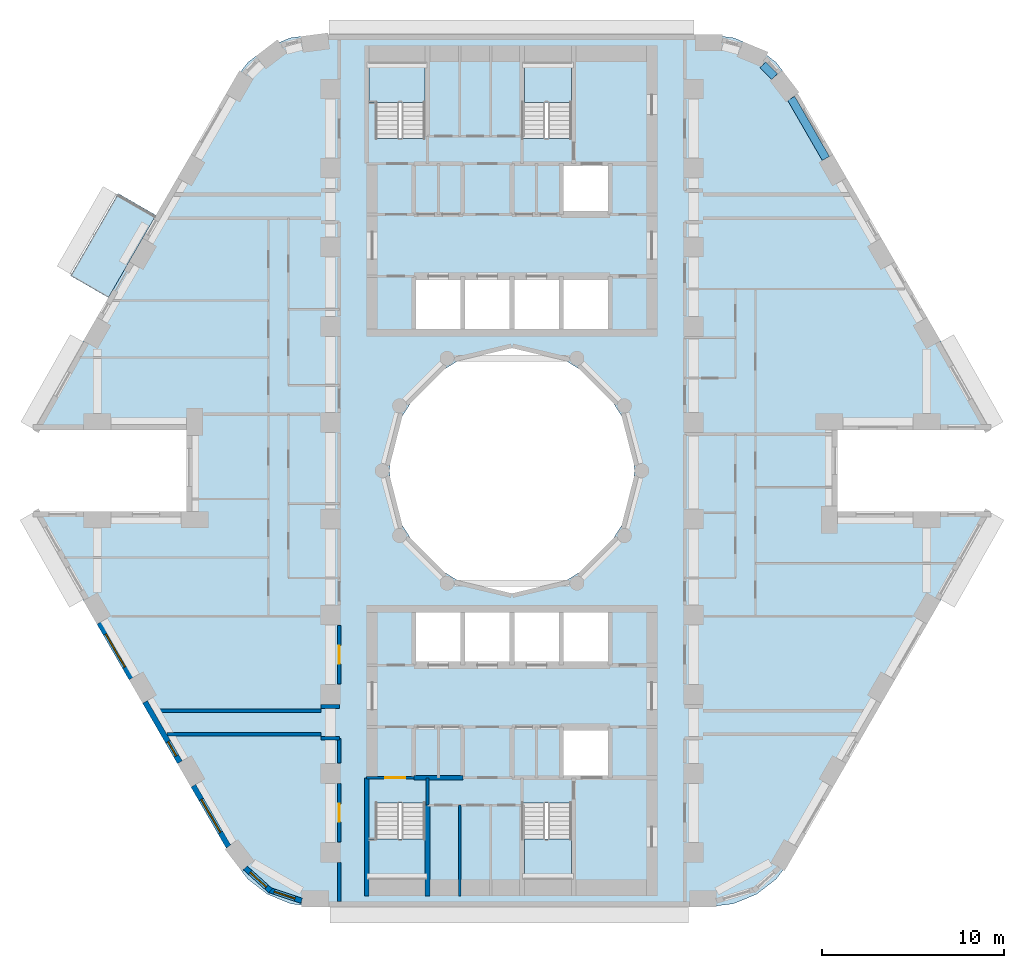
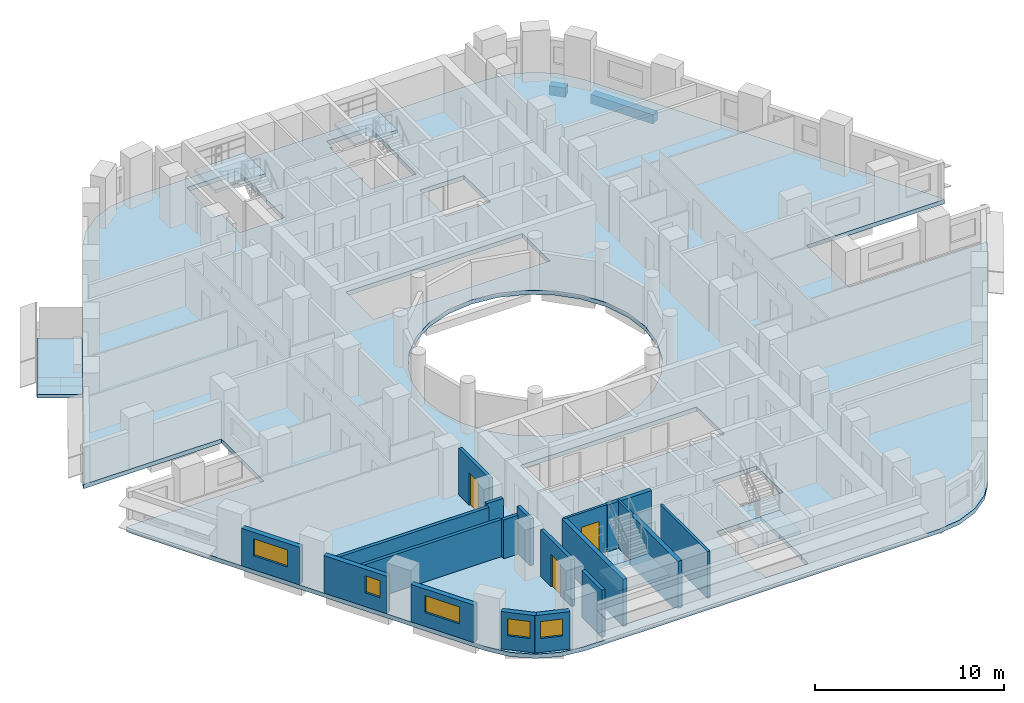
# One storey, part 2 of 13: 19 walls, 6 slabs, 5 windows, 3 doors, 2 beams, 8 openings, 4 elements without a shape of their own.
"""IFC4 building model written with IfcOpenShell, lengths in metres."""

from ifc_helpers import new_model, si_unit, direction, frame, frame_2d, origin, origin_2d, place, context, subcontext, project, spatial, polyline, rectangle, outline, extrude, material, layer, layer_set, material_profile, profile_set, type_object, element, fill, aggregate, save


model = new_model("IFC4")

# Units and contexts
model_context = context("Model", 3, precision=1e-05, world=origin(), true_north=direction((0.0, 1.0)))
body_context = subcontext(model_context, "Body", "Model", "MODEL_VIEW")
ifc_project = project(units=[si_unit("LENGTHUNIT", "METRE"), si_unit("AREAUNIT", "SQUARE_METRE"), si_unit("VOLUMEUNIT", "CUBIC_METRE"), si_unit("PLANEANGLEUNIT", "RADIAN"), si_unit("MASSUNIT", "GRAM", prefix="KILO")], contexts=[model_context])

# Site, building, storey
site_placement = place(None, origin())
site = spatial("IfcSite", under=ifc_project, at=site_placement, CompositionType="ELEMENT")
building_placement = place(site_placement, origin())
building = spatial("IfcBuilding", under=site, at=building_placement, Name="Nakaniwa Court", CompositionType="ELEMENT")
storey_placement = place(building_placement, frame((0.0, 0.0, 48.0)))
storey = spatial("IfcBuildingStorey", under=building, at=storey_placement, Name="L12", CompositionType="ELEMENT", Elevation=48.0)

# Beams
ifc_material_1 = material(Name="Concrete C100/115", Category="concrete")
ifc_material_profile = material_profile(ifc_material_1, rectangle(XDim=0.449951171875, YDim=0.60009765625, at=origin_2d()), Name="Concrete C100/115 RC 450x600 spandrel beam")
ifc_profile_set = profile_set([ifc_material_profile], Name="Concrete C100/115")
beam_type = type_object("IfcBeamType", Name="Concrete C100/115 RC 450x600 spandrel beam", PredefinedType="BEAM", material=ifc_profile_set)
beam_1_placement = place(storey_placement, frame((97.2705078125, 97.1865234375, -0.574951171875), z_axis=(-0.500023067617, 0.86601208528, 0.0), x_axis=(-0.86601208528, -0.500023067617, 0.0)))
element("IfcBeam", 1, at=beam_1_placement, inside=storey, type_object=beam_type, Name="SPANDREL BEAM", PredefinedType="BEAM", context=body_context, shape_type="SweptSolid", body=[
    extrude(rectangle(XDim=0.449951171875, YDim=0.60009765625, at=origin_2d()), origin(), (0.0, 0.0, 1.0), 3.819580078125),
])
beam_2_placement = place(storey_placement, frame((94.448486328125, 101.68505859375, -0.574951171875), z_axis=(-0.705908410536, 0.708303124329, 0.0), x_axis=(-0.708303124329, -0.705908410536, 0.0)))
element("IfcBeam", 2, at=beam_2_placement, inside=storey, type_object=beam_type, Name="SPANDREL BEAM", PredefinedType="BEAM", context=body_context, shape_type="SweptSolid", body=[
    extrude(rectangle(XDim=0.449951171875, YDim=0.60009765625, at=origin_2d()), origin(), (0.0, 0.0, 1.0), 0.91748046875),
])

# Slabs
ifc_material_2 = material(Name="Charcoal ceramic paver")
ifc_layer_1 = layer(ifc_material_2, 0.02, Name="Ceramic paver")
ifc_material_3 = material(Name="Cement sand screed")
ifc_layer_2 = layer(ifc_material_3, 0.03, Name="Falls screed")
ifc_material_4 = material(Name="Concrete C40/50", Category="concrete")
ifc_layer_3 = layer(ifc_material_4, 0.15, Name="Balcony slab")
ifc_layer_set_1 = layer_set([ifc_layer_1, ifc_layer_2, ifc_layer_3], Name="Concrete C40/50 balcony slab with ceramic paver finish")
slab_type_1 = type_object("IfcSlabType", Name="Balcony slab 200", PredefinedType="FLOOR", material=ifc_layer_set_1)
slab_1_placement = place(storey_placement, frame((0.0, 0.0, -0.25)))
element("IfcSlab", 3, at=slab_1_placement, inside=storey, type_object=slab_type_1, Name="L12 balcony 01", PredefinedType="FLOOR", context=body_context, shape_type="SweptSolid", body=[
    extrude(outline(polyline([(60.404541015625, 94.06005859375), (57.7900390625, 89.531005859375), (55.711669921875, 90.73095703125), (58.326171875, 95.260009765625), (60.404541015625, 94.06005859375)])), origin(), (0.0, 0.0, 1.0), 0.199951171875),
])
ifc_layer_4 = layer(ifc_material_1, 0.27490234375)
ifc_layer_set_2 = layer_set([ifc_layer_4], Name="Concrete C100/115")
slab_type_2 = type_object("IfcSlabType", Name="Concrete C100/115 post tensioned floor slab 275", PredefinedType="FLOOR", material=ifc_layer_set_2)
slab_2_placement = place(storey_placement, frame((0.0, 0.0, -0.27490234375)))
element("IfcSlab", 4, at=slab_2_placement, inside=storey, type_object=slab_type_2, Name="FLOOR SLAB", PredefinedType="FLOOR", context=body_context, shape_type="SweptSolid", body=[
    extrude(outline(polyline([(97.908447265625, 82.25), (106.356689453125, 82.25), (106.211669921875, 82.60009765625), (95.357421875, 101.39990234375), (94.531005859375, 102.47705078125), (93.4541015625, 103.30322265625), (92.199951171875, 103.82275390625), (90.854248046875, 104.0), (69.145751953125, 104.0), (67.800048828125, 103.82275390625), (66.5458984375, 103.30322265625), (65.468994140625, 102.47705078125), (64.642578125, 101.39990234375), (53.788330078125, 82.60009765625), (53.643310546875, 82.25), (62.091552734375, 82.25), (62.091552734375, 77.75), (53.643310546875, 77.75), (53.788330078125, 77.39990234375), (64.642578125, 58.60009765625), (65.468994140625, 57.52294921875), (66.5458984375, 56.69677734375), (67.800048828125, 56.17724609375), (69.145751953125, 56.0), (90.854248046875, 56.0), (92.199951171875, 56.17724609375), (93.4541015625, 56.69677734375), (94.531005859375, 57.52294921875), (95.357421875, 58.60009765625), (106.211669921875, 77.39990234375), (106.356689453125, 77.75), (97.908447265625, 77.75), (97.908447265625, 82.25)]), holes=[polyline([(81.501953125, 86.580810546875), (80.0, 86.75), (78.498046875, 86.580810546875), (77.0712890625, 86.08154296875), (75.79150390625, 85.27734375), (74.72265625, 84.20849609375), (73.91845703125, 82.9287109375), (73.419189453125, 81.501953125), (73.25, 80.0), (73.419189453125, 78.498046875), (73.91845703125, 77.0712890625), (74.72265625, 75.79150390625), (75.79150390625, 74.72265625), (77.0712890625, 73.91845703125), (78.498046875, 73.419189453125), (80.0, 73.25), (81.501953125, 73.419189453125), (82.9287109375, 73.91845703125), (84.20849609375, 74.72265625), (85.27734375, 75.79150390625), (86.08154296875, 77.0712890625), (86.580810546875, 78.498046875), (86.75, 80.0), (86.580810546875, 81.501953125), (86.08154296875, 82.9287109375), (85.27734375, 84.20849609375), (84.20849609375, 85.27734375), (82.9287109375, 86.08154296875), (81.501953125, 86.580810546875)]), polyline([(75.264892578125, 57.4599609375), (75.264892578125, 59.764892578125), (75.22509765625, 59.764892578125), (75.22509765625, 61.7099609375), (72.47509765625, 61.7099609375), (72.47509765625, 59.764892578125), (72.0849609375, 59.764892578125), (72.0849609375, 57.4599609375), (72.125, 57.4599609375), (72.125, 56.72509765625), (75.22509765625, 56.72509765625), (75.22509765625, 57.324951171875), (75.22509765625, 57.4599609375), (75.264892578125, 57.4599609375)]), polyline([(80.0, 69.300048828125), (82.699951171875, 69.300048828125), (85.39990234375, 69.300048828125), (85.39990234375, 72.199951171875), (82.699951171875, 72.199951171875), (80.0, 72.199951171875), (77.300048828125, 72.199951171875), (74.60009765625, 72.199951171875), (74.60009765625, 69.300048828125), (77.300048828125, 69.300048828125), (80.0, 69.300048828125)]), polyline([(80.0, 87.800048828125), (82.699951171875, 87.800048828125), (85.39990234375, 87.800048828125), (85.39990234375, 90.699951171875), (82.699951171875, 90.699951171875), (80.0, 90.699951171875), (77.300048828125, 90.699951171875), (74.60009765625, 90.699951171875), (74.60009765625, 87.800048828125), (77.300048828125, 87.800048828125), (80.0, 87.800048828125)]), polyline([(75.264892578125, 100.235107421875), (75.264892578125, 102.5400390625), (75.22509765625, 102.5400390625), (75.22509765625, 102.675048828125), (75.22509765625, 103.27490234375), (72.125, 103.27490234375), (72.125, 102.5400390625), (72.0849609375, 102.5400390625), (72.0849609375, 100.235107421875), (72.47509765625, 100.235107421875), (72.47509765625, 98.2900390625), (75.22509765625, 98.2900390625), (75.22509765625, 100.235107421875), (75.264892578125, 100.235107421875)]), polyline([(83.27490234375, 61.7099609375), (80.52490234375, 61.7099609375), (80.52490234375, 57.324951171875), (80.675048828125, 57.324951171875), (80.675048828125, 56.72509765625), (83.27490234375, 56.72509765625), (83.27490234375, 57.324951171875), (83.27490234375, 57.4599609375), (83.31494140625, 57.4599609375), (83.31494140625, 59.764892578125), (83.27490234375, 59.764892578125), (83.27490234375, 61.7099609375)]), polyline([(85.39990234375, 65.89990234375), (82.699951171875, 65.89990234375), (82.699951171875, 63.10009765625), (85.39990234375, 63.10009765625), (85.39990234375, 65.89990234375)]), polyline([(85.39990234375, 96.89990234375), (82.699951171875, 96.89990234375), (82.699951171875, 94.10009765625), (85.39990234375, 94.10009765625), (85.39990234375, 96.89990234375)]), polyline([(83.27490234375, 100.235107421875), (83.31494140625, 100.235107421875), (83.31494140625, 102.5400390625), (83.27490234375, 102.5400390625), (83.27490234375, 102.675048828125), (83.27490234375, 103.27490234375), (80.675048828125, 103.27490234375), (80.675048828125, 102.675048828125), (80.52490234375, 102.675048828125), (80.52490234375, 98.2900390625), (83.27490234375, 98.2900390625), (83.27490234375, 100.235107421875)])]), origin(), (0.0, 0.0, 1.0), 0.27490234375),
])

# Stair, slab
ifc_material_5 = material(Name="Concrete C80/100", Category="concrete")
stair_type = type_object("IfcStairType", Name="Dog leg stair 1300 wide 18 risers", PredefinedType="HALF_TURN_STAIR", material=ifc_material_5)
stair_1_placement = place(storey_placement, origin())
stair_1 = element("IfcStair", 5, at=stair_1_placement, inside=storey, type_object=stair_type, Name="L12 Stair ST1", PredefinedType="HALF_TURN_STAIR")
ifc_layer_5 = layer(ifc_material_5, 0.199951171875)
ifc_layer_set_3 = layer_set([ifc_layer_5], Name="Concrete C80/100")
slab_type_3 = type_object("IfcSlabType", Name="Stair landing concrete", PredefinedType="LANDING", material=ifc_layer_set_3)
slab_3_placement = place(storey_placement, frame((0.0, 0.0, 1.449951171875)))
slab_3 = element("IfcSlab", 6, at=slab_3_placement, type_object=slab_type_3, Name="ST1 landing 1", PredefinedType="LANDING", context=body_context, shape_type="SweptSolid", body=[
    extrude(outline(polyline([(75.22509765625, 100.27490234375), (75.22509765625, 102.5), (72.125, 102.5), (72.125, 100.27490234375), (75.22509765625, 100.27490234375)])), origin(), (0.0, 0.0, 1.0), 0.199951171875),
])
aggregate(stair_1, [slab_3])

stair_2_placement = place(storey_placement, origin())
stair_2 = element("IfcStair", 7, at=stair_2_placement, inside=storey, type_object=stair_type, Name="L12 Stair ST2", PredefinedType="HALF_TURN_STAIR")
slab_4_placement = place(storey_placement, frame((0.0, 0.0, 1.449951171875)))
slab_4 = element("IfcSlab", 8, at=slab_4_placement, type_object=slab_type_3, Name="ST2 landing 1", PredefinedType="LANDING", context=body_context, shape_type="SweptSolid", body=[
    extrude(outline(polyline([(83.27490234375, 100.27490234375), (83.27490234375, 102.5), (80.675048828125, 102.5), (80.675048828125, 100.27490234375), (83.27490234375, 100.27490234375)])), origin(), (0.0, 0.0, 1.0), 0.199951171875),
])
aggregate(stair_2, [slab_4])

stair_3_placement = place(storey_placement, origin())
stair_3 = element("IfcStair", 9, at=stair_3_placement, inside=storey, type_object=stair_type, Name="L12 Stair ST3", PredefinedType="HALF_TURN_STAIR")
slab_5_placement = place(storey_placement, frame((0.0, 0.0, 1.449951171875)))
slab_5 = element("IfcSlab", 10, at=slab_5_placement, type_object=slab_type_3, Name="ST3 landing 1", PredefinedType="LANDING", context=body_context, shape_type="SweptSolid", body=[
    extrude(outline(polyline([(75.22509765625, 57.5), (75.22509765625, 59.72509765625), (72.125, 59.72509765625), (72.125, 57.5), (75.22509765625, 57.5)])), origin(), (0.0, 0.0, 1.0), 0.199951171875),
])
aggregate(stair_3, [slab_5])

stair_4_placement = place(storey_placement, origin())
stair_4 = element("IfcStair", 11, at=stair_4_placement, inside=storey, type_object=stair_type, Name="L12 Stair ST4", PredefinedType="HALF_TURN_STAIR")
slab_6_placement = place(storey_placement, frame((0.0, 0.0, 1.449951171875)))
slab_6 = element("IfcSlab", 12, at=slab_6_placement, type_object=slab_type_3, Name="ST4 landing 1", PredefinedType="LANDING", context=body_context, shape_type="SweptSolid", body=[
    extrude(outline(polyline([(83.27490234375, 57.5), (83.27490234375, 59.72509765625), (80.675048828125, 59.72509765625), (80.675048828125, 57.5), (83.27490234375, 57.5)])), origin(), (0.0, 0.0, 1.0), 0.199951171875),
])
aggregate(stair_4, [slab_6])

# Walls
ifc_material_6 = material(Name="Acoustic double stud partition")
ifc_layer_6 = layer(ifc_material_6, 0.199951171875)
ifc_layer_set_4 = layer_set([ifc_layer_6], Name="Acoustic double stud partition")
wall_type_1 = type_object("IfcWallType", Name="Acoustic double stud partition 200", PredefinedType="PARTITIONING", material=ifc_layer_set_4)
wall_1_placement = place(storey_placement, frame((61.005126953125, 65.5, 0.0), z_axis=(0.0, 0.0, 1.0), x_axis=(1.0, 0.0, 0.0)))
element("IfcWall", 13, at=wall_1_placement, inside=storey, type_object=wall_type_1, Name="Partition PW-093", PredefinedType="PARTITIONING", context=body_context, shape_type="SweptSolid", body=[
    extrude(rectangle(XDim=8.494873046875, YDim=0.199951171875, at=frame_2d((4.24755859375, 0.0))), origin(), (0.0, 0.0, 1.0), 2.405029296875),
])
for number, where, z_axis, x_axis, name in (
    (14, (69.5, 65.27490234375, 0.0), (0.0, 0.0, 1.0), (1.0, 0.0, 0.0), "Partition PW-095"),
    (15, (69.5, 67.02490234375, 0.0), (0.0, 0.0, 1.0), (1.0, 0.0, 0.0), "Partition PW-097"),
):
    element("IfcWall", number, at=place(storey_placement, frame(where, z_axis=z_axis, x_axis=x_axis)), inside=storey, type_object=wall_type_1, Name=name, PredefinedType="PARTITIONING", context=body_context, shape_type="SweptSolid", body=[
        extrude(rectangle(XDim=1.0, YDim=0.199951171875, at=frame_2d((0.5, 0.0))), origin(), (0.0, 0.0, 1.0), 2.5048828125),
    ])
wall_2_placement = place(storey_placement, frame((60.254638671875, 66.800048828125, 0.0), z_axis=(0.0, 0.0, 1.0), x_axis=(1.0, 0.0, 0.0)))
element("IfcWall", 16, at=wall_2_placement, inside=storey, type_object=wall_type_1, Name="Partition PW-099", PredefinedType="PARTITIONING", context=body_context, shape_type="SweptSolid", body=[
    extrude(rectangle(XDim=9.245361328125, YDim=0.199951171875, at=frame_2d((4.62255859375, 0.0))), origin(), (0.0, 0.0, 1.0), 2.405029296875),
])
wall_3_placement = place(storey_placement, frame((70.5, 56.300048828125, 0.0), z_axis=(0.0, 0.0, 1.0), x_axis=(0.0, 1.0, 0.0)))
element("IfcWall", 17, at=wall_3_placement, inside=storey, type_object=wall_type_1, Name="Partition PW-101", PredefinedType="PARTITIONING", context=body_context, shape_type="SweptSolid", body=[
    extrude(rectangle(XDim=2.133056640625, YDim=0.199951171875, at=frame_2d((1.06640625, 0.0))), origin(), (0.0, 0.0, 1.0), 3.02490234375),
])

# Wall, opening, door
wall_4_placement = place(storey_placement, frame((70.5, 59.56689453125, 0.0), z_axis=(0.0, 0.0, 1.0), x_axis=(0.0, 1.0, 0.0)))
wall_4 = element("IfcWall", 18, at=wall_4_placement, inside=storey, type_object=wall_type_1, Name="Partition PW-102", PredefinedType="PARTITIONING", context=body_context, shape_type="SweptSolid", body=[
    extrude(rectangle(XDim=3.216064453125, YDim=0.199951171875, at=frame_2d((1.60791015625, 0.0))), origin(), (0.0, 0.0, 1.0), 3.02490234375),
])
opening_1_placement = place(wall_4_placement, frame((1.10791015625, 0.0, 0.0)))
opening_1 = element("IfcOpeningElement", 19, at=opening_1_placement, cuts=wall_4, Name="Opening D-02-03", PredefinedType="OPENING", context=body_context, shape_type="SweptSolid", body=[
    extrude(rectangle(XDim=1.0, YDim=2.10009765625, at=frame_2d((0.5, 1.050048828125))), frame((0.0, 0.10986328125, 0.0), z_axis=(0.0, -1.0, 0.0), x_axis=(1.0, 0.0, 0.0)), (0.0, 0.0, 1.0), 0.219970703125),
])
ifc_material_7 = material(Name="Solid core timber door set, black veneer", Category="wood")
door_type_1 = type_object("IfcDoorType", Name="Internal door 1000", OperationType="NOTDEFINED", PredefinedType="DOOR", material=ifc_material_7)
door_1_placement = place(opening_1_placement, origin())
door_1 = element("IfcDoor", 20, at=door_1_placement, inside=storey, type_object=door_type_1, Name="Door D-02-03 L12-043", OperationType="SINGLE_SWING_RIGHT", OverallHeight=2.10009765625, OverallWidth=1.0, PredefinedType="DOOR", context=body_context, shape_type="SweptSolid", body=[
    extrude(rectangle(XDim=1.0, YDim=2.10009765625, at=frame_2d((0.5, 1.050048828125))), frame((0.0, 0.02490234375, 0.0), z_axis=(0.0, -1.0, 0.0), x_axis=(1.0, 0.0, 0.0)), (0.0, 0.0, 1.0), 0.050048828125),
])
fill(opening_1, door_1)

# Wall
wall_5_placement = place(storey_placement, frame((70.5, 63.9169921875, 0.0), z_axis=(0.0, 0.0, 1.0), x_axis=(0.0, 1.0, 0.0)))
element("IfcWall", 21, at=wall_5_placement, inside=storey, type_object=wall_type_1, Name="Partition PW-103", PredefinedType="PARTITIONING", context=body_context, shape_type="SweptSolid", body=[
    extrude(rectangle(XDim=1.361083984375, YDim=0.199951171875, at=frame_2d((0.6806640625, 0.0))), origin(), (0.0, 0.0, 1.0), 3.02490234375),
])

# Wall, opening, door
wall_6_placement = place(storey_placement, frame((70.5, 68.26708984375, 0.0), z_axis=(0.0, 0.0, 1.0), x_axis=(0.0, 1.0, 0.0)))
wall_6 = element("IfcWall", 22, at=wall_6_placement, inside=storey, type_object=wall_type_1, Name="Partition PW-104", PredefinedType="PARTITIONING", context=body_context, shape_type="SweptSolid", body=[
    extrude(rectangle(XDim=3.2158203125, YDim=0.199951171875, at=frame_2d((1.60791015625, 0.0))), origin(), (0.0, 0.0, 1.0), 3.02490234375),
])
opening_2_placement = place(wall_6_placement, frame((1.10791015625, 0.0, 0.0)))
opening_2 = element("IfcOpeningElement", 23, at=opening_2_placement, cuts=wall_6, Name="Opening D-02-07", PredefinedType="OPENING", context=body_context, shape_type="SweptSolid", body=[
    extrude(rectangle(XDim=1.0, YDim=2.10009765625, at=frame_2d((0.5, 1.050048828125))), frame((0.0, 0.10986328125, 0.0), z_axis=(0.0, -1.0, 0.0), x_axis=(1.0, 0.0, 0.0)), (0.0, 0.0, 1.0), 0.219970703125),
])
door_2_placement = place(opening_2_placement, origin())
door_2 = element("IfcDoor", 24, at=door_2_placement, inside=storey, type_object=door_type_1, Name="Door D-02-07 L12-059", OperationType="SINGLE_SWING_RIGHT", OverallHeight=2.10009765625, OverallWidth=1.0, PredefinedType="DOOR", context=body_context, shape_type="SweptSolid", body=[
    extrude(rectangle(XDim=1.0, YDim=2.10009765625, at=frame_2d((0.5, 1.050048828125))), frame((0.0, 0.02490234375, 0.0), z_axis=(0.0, -1.0, 0.0), x_axis=(1.0, 0.0, 0.0)), (0.0, 0.0, 1.0), 0.050048828125),
])
fill(opening_2, door_2)

# Wall, opening, window
ifc_material_8 = material(Name="Charcoal ceramic cladding")
ifc_layer_7 = layer(ifc_material_8, 0.02, Name="Ceramic cladding")
ifc_material_9 = material(Name="Ventilated air cavity")
ifc_layer_8 = layer(ifc_material_9, 0.04, ventilated=True, Name="Ventilated cavity")
ifc_material_10 = material(Name="Mineral wool insulation")
ifc_layer_9 = layer(ifc_material_10, 0.1, Name="Insulation")
ifc_material_11 = material(Name="Cement bonded sheathing board")
ifc_layer_10 = layer(ifc_material_11, 0.012, Name="Sheathing")
ifc_material_12 = material(Name="Cold-formed galvanised stud frame with mineral wool infill")
ifc_layer_11 = layer(ifc_material_12, 0.1, Name="Stud frame")
ifc_material_13 = material(Name="Fire-rated gypsum plasterboard lining")
ifc_layer_12 = layer(ifc_material_13, 0.028, Name="Lining")
ifc_layer_set_5 = layer_set([ifc_layer_7, ifc_layer_8, ifc_layer_9, ifc_layer_10, ifc_layer_11, ifc_layer_12], Name="Charcoal ceramic faced external wall system")
wall_type_2 = type_object("IfcWallType", Name="Black ceramic faced external wall 300", PredefinedType="SOLIDWALL", material=ifc_layer_set_5)
wall_7_placement = place(storey_placement, frame((57.290283203125, 71.63427734375, 0.0), z_axis=(0.0, 0.0, 1.0), x_axis=(0.499977402622, -0.866038449993, 0.0)))
wall_7 = element("IfcWall", 25, at=wall_7_placement, inside=storey, type_object=wall_type_2, Name="L12 external wall 21", PredefinedType="SOLIDWALL", context=body_context, shape_type="SweptSolid", body=[
    extrude(rectangle(XDim=3.536865234375, YDim=0.300048828125, at=frame_2d((1.7685546875, 0.0))), origin(), (0.0, 0.0, 1.0), 2.425048828125),
])
opening_3_placement = place(wall_7_placement, frame((0.718505859375, 0.0, 0.89990234375)))
opening_3 = element("IfcOpeningElement", 26, at=opening_3_placement, cuts=wall_7, Name="Opening W7.21", PredefinedType="OPENING", context=body_context, shape_type="SweptSolid", body=[
    extrude(rectangle(XDim=2.10009765625, YDim=1.10009765625, at=frame_2d((1.050048828125, 0.550048828125))), frame((0.0, 0.159912109375, 0.0), z_axis=(0.0, -1.0, 0.0), x_axis=(1.0, 0.0, 0.0)), (0.0, 0.0, 1.0), 0.320068359375),
])
ifc_material_14 = material(Name="Black anodised aluminium frame with dark low-E laminated double glazing", Category="aluminium")
window_type_1 = type_object("IfcWindowType", Name="Dark glass window 2100x1100 sill 900", PartitioningType="SINGLE_PANEL", PredefinedType="WINDOW", material=ifc_material_14)
window_1_placement = place(opening_3_placement, origin())
window_1 = element("IfcWindow", 27, at=window_1_placement, inside=storey, type_object=window_type_1, Name="L12 habitable room window 21-0", OverallHeight=1.10009765625, OverallWidth=2.10009765625, PartitioningType="SINGLE_PANEL", PredefinedType="WINDOW", context=body_context, shape_type="SweptSolid", body=[
    extrude(rectangle(XDim=2.10009765625, YDim=1.10009765625, at=frame_2d((1.050048828125, 0.550048828125))), frame((0.0, 0.030029296875, 0.0), z_axis=(0.0, -1.0, 0.0), x_axis=(1.0, 0.0, 0.0)), (0.0, 0.0, 1.0), 0.06005859375),
])
fill(opening_3, window_1)

wall_8_placement = place(storey_placement, frame((59.8046875, 67.279296875, 0.0), z_axis=(0.0, 0.0, 1.0), x_axis=(0.500001735503, -0.866024401789, 0.0)))
wall_8 = element("IfcWall", 28, at=wall_8_placement, inside=storey, type_object=wall_type_2, Name="L12 external wall 22", PredefinedType="SOLIDWALL", context=body_context, shape_type="SweptSolid", body=[
    extrude(rectangle(XDim=3.833984375, YDim=0.300048828125, at=frame_2d((1.9169921875, 0.0))), origin(), (0.0, 0.0, 1.0), 2.425048828125),
])
opening_4_placement = place(wall_8_placement, frame((2.53125, 0.0, 0.89990234375)))
opening_4 = element("IfcOpeningElement", 29, at=opening_4_placement, cuts=wall_8, Name="Opening W9.22", PredefinedType="OPENING", context=body_context, shape_type="SweptSolid", body=[
    extrude(rectangle(XDim=0.89990234375, YDim=1.10009765625, at=frame_2d((0.449951171875, 0.550048828125))), frame((0.0, 0.159912109375, 0.0), z_axis=(0.0, -1.0, 0.0), x_axis=(1.0, 0.0, 0.0)), (0.0, 0.0, 1.0), 0.320068359375),
])
window_type_2 = type_object("IfcWindowType", Name="Dark glass window 900x1100 sill 900", PartitioningType="SINGLE_PANEL", PredefinedType="WINDOW", material=ifc_material_14)
window_2_placement = place(opening_4_placement, origin())
window_2 = element("IfcWindow", 30, at=window_2_placement, inside=storey, type_object=window_type_2, Name="L12 habitable room window 22-2", OverallHeight=1.10009765625, OverallWidth=0.89990234375, PartitioningType="SINGLE_PANEL", PredefinedType="WINDOW", context=body_context, shape_type="SweptSolid", body=[
    extrude(rectangle(XDim=0.89990234375, YDim=1.10009765625, at=frame_2d((0.449951171875, 0.550048828125))), frame((0.0, 0.030029296875, 0.0), z_axis=(0.0, -1.0, 0.0), x_axis=(1.0, 0.0, 0.0)), (0.0, 0.0, 1.0), 0.06005859375),
])
fill(opening_4, window_2)

wall_9_placement = place(storey_placement, frame((62.4677734375, 62.6669921875, 0.0), z_axis=(0.0, 0.0, 1.0), x_axis=(0.499948341072, -0.866055227026, 0.0)))
wall_9 = element("IfcWall", 31, at=wall_9_placement, inside=storey, type_object=wall_type_2, Name="L12 external wall 23", PredefinedType="SOLIDWALL", context=body_context, shape_type="SweptSolid", body=[
    extrude(rectangle(XDim=3.8671875, YDim=0.300048828125, at=frame_2d((1.93359375, 0.0))), origin(), (0.0, 0.0, 1.0), 2.425048828125),
])
opening_5_placement = place(wall_9_placement, frame((0.872314453125, 0.0, 0.89990234375)))
opening_5 = element("IfcOpeningElement", 32, at=opening_5_placement, cuts=wall_9, Name="Opening W7.23", PredefinedType="OPENING", context=body_context, shape_type="SweptSolid", body=[
    extrude(rectangle(XDim=2.10009765625, YDim=1.10009765625, at=frame_2d((1.050048828125, 0.550048828125))), frame((0.0, 0.159912109375, 0.0), z_axis=(0.0, -1.0, 0.0), x_axis=(1.0, 0.0, 0.0)), (0.0, 0.0, 1.0), 0.320068359375),
])
window_3_placement = place(opening_5_placement, origin())
window_3 = element("IfcWindow", 33, at=window_3_placement, inside=storey, type_object=window_type_1, Name="L12 habitable room window 23-0", OverallHeight=1.10009765625, OverallWidth=2.10009765625, PartitioningType="SINGLE_PANEL", PredefinedType="WINDOW", context=body_context, shape_type="SweptSolid", body=[
    extrude(rectangle(XDim=2.10009765625, YDim=1.10009765625, at=frame_2d((1.050048828125, 0.550048828125))), frame((0.0, 0.030029296875, 0.0), z_axis=(0.0, -1.0, 0.0), x_axis=(1.0, 0.0, 0.0)), (0.0, 0.0, 1.0), 0.06005859375),
])
fill(opening_5, window_3)

wall_10_placement = place(storey_placement, frame((65.3203125, 58.142578125, 0.0), z_axis=(0.0, 0.0, 1.0), x_axis=(0.7435526378, -0.668677407141, 0.0)))
wall_10 = element("IfcWall", 34, at=wall_10_placement, inside=storey, type_object=wall_type_2, Name="L12 external wall 24", PredefinedType="SOLIDWALL", context=body_context, shape_type="SweptSolid", body=[
    extrude(rectangle(XDim=1.878173828125, YDim=0.300048828125, at=frame_2d((0.93896484375, 0.0))), origin(), (0.0, 0.0, 1.0), 2.425048828125),
])
opening_6_placement = place(wall_10_placement, frame((0.366943359375, 0.0, 0.89990234375)))
opening_6 = element("IfcOpeningElement", 35, at=opening_6_placement, cuts=wall_10, Name="Opening W6.24", PredefinedType="OPENING", context=body_context, shape_type="SweptSolid", body=[
    extrude(rectangle(XDim=1.199951171875, YDim=1.10009765625, at=frame_2d((0.60009765625, 0.550048828125))), frame((0.0, 0.159912109375, 0.0), z_axis=(0.0, -1.0, 0.0), x_axis=(1.0, 0.0, 0.0)), (0.0, 0.0, 1.0), 0.320068359375),
])
window_type_3 = type_object("IfcWindowType", Name="Dark glass window 1200x1100 sill 900", PartitioningType="SINGLE_PANEL", PredefinedType="WINDOW", material=ifc_material_14)
window_4_placement = place(opening_6_placement, origin())
window_4 = element("IfcWindow", 36, at=window_4_placement, inside=storey, type_object=window_type_3, Name="L12 habitable room window 24-0", OverallHeight=1.10009765625, OverallWidth=1.199951171875, PartitioningType="SINGLE_PANEL", PredefinedType="WINDOW", context=body_context, shape_type="SweptSolid", body=[
    extrude(rectangle(XDim=1.199951171875, YDim=1.10009765625, at=frame_2d((0.60009765625, 0.550048828125))), frame((0.0, 0.030029296875, 0.0), z_axis=(0.0, -1.0, 0.0), x_axis=(1.0, 0.0, 0.0)), (0.0, 0.0, 1.0), 0.06005859375),
])
fill(opening_6, window_4)

wall_11_placement = place(storey_placement, frame((66.6240234375, 56.932861328125, 0.0), z_axis=(0.0, 0.0, 1.0), x_axis=(0.949246659442, -0.314532636683, 0.0)))
wall_11 = element("IfcWall", 37, at=wall_11_placement, inside=storey, type_object=wall_type_2, Name="L12 external wall 25", PredefinedType="SOLIDWALL", context=body_context, shape_type="SweptSolid", body=[
    extrude(rectangle(XDim=1.901611328125, YDim=0.300048828125, at=frame_2d((0.95068359375, 0.0))), origin(), (0.0, 0.0, 1.0), 2.425048828125),
])
opening_7_placement = place(wall_11_placement, frame((0.31005859375, 0.0, 0.89990234375)))
opening_7 = element("IfcOpeningElement", 38, at=opening_7_placement, cuts=wall_11, Name="Opening W6.25", PredefinedType="OPENING", context=body_context, shape_type="SweptSolid", body=[
    extrude(rectangle(XDim=1.199951171875, YDim=1.10009765625, at=frame_2d((0.60009765625, 0.550048828125))), frame((0.0, 0.159912109375, 0.0), z_axis=(0.0, -1.0, 0.0), x_axis=(1.0, 0.0, 0.0)), (0.0, 0.0, 1.0), 0.320068359375),
])
window_5_placement = place(opening_7_placement, origin())
window_5 = element("IfcWindow", 39, at=window_5_placement, inside=storey, type_object=window_type_3, Name="L12 habitable room window 25-0", OverallHeight=1.10009765625, OverallWidth=1.199951171875, PartitioningType="SINGLE_PANEL", PredefinedType="WINDOW", context=body_context, shape_type="SweptSolid", body=[
    extrude(rectangle(XDim=1.199951171875, YDim=1.10009765625, at=frame_2d((0.60009765625, 0.550048828125))), frame((0.0, 0.030029296875, 0.0), z_axis=(0.0, -1.0, 0.0), x_axis=(1.0, 0.0, 0.0)), (0.0, 0.0, 1.0), 0.06005859375),
])
fill(opening_7, window_5)

# Wall
ifc_material_15 = material(Name="Blockwork partition", Category="masonry")
ifc_layer_13 = layer(ifc_material_15, 0.14990234375)
ifc_layer_set_6 = layer_set([ifc_layer_13], Name="Blockwork partition")
wall_type_3 = type_object("IfcWallType", Name="Blockwork partition 150", PredefinedType="PARTITIONING", material=ifc_layer_set_6)
wall_12_placement = place(storey_placement, frame((77.117919921875, 56.60009765625, 0.0), z_axis=(0.0, 0.0, 1.0), x_axis=(0.0, 1.0, 0.0)))
element("IfcWall", 40, at=wall_12_placement, inside=storey, type_object=wall_type_3, Name="Partition PW-071", PredefinedType="PARTITIONING", context=body_context, shape_type="SweptSolid", body=[
    extrude(rectangle(XDim=5.0, YDim=0.14990234375, at=frame_2d((2.5, 0.0))), origin(), (0.0, 0.0, 1.0), 3.02490234375),
])

# Wall, opening, door
ifc_layer_14 = layer(ifc_material_1, 0.14990234375)
ifc_layer_set_7 = layer_set([ifc_layer_14], Name="Concrete C100/115")
wall_type_4 = type_object("IfcWallType", Name="Concrete core wall 150 C100", PredefinedType="SHEAR", material=ifc_layer_set_7)
wall_13_placement = place(storey_placement, frame((72.0, 63.10009765625, -0.27490234375), z_axis=(0.0, 0.0, 1.0), x_axis=(1.0, 0.0, 0.0)))
wall_13 = element("IfcWall", 41, at=wall_13_placement, inside=storey, type_object=wall_type_4, Name="Core wall SW-58", PredefinedType="SHEAR", context=body_context, shape_type="SweptSolid", body=[
    extrude(rectangle(XDim=2.60009765625, YDim=0.14990234375, at=frame_2d((1.300048828125, 0.0))), origin(), (0.0, 0.0, 1.0), 3.2998046875),
])
opening_8_placement = place(wall_13_placement, frame((1.02001953125, 0.0, 0.27490234375)))
opening_8 = element("IfcOpeningElement", 42, at=opening_8_placement, cuts=wall_13, Name="Opening D-09-02", PredefinedType="OPENING", context=body_context, shape_type="SweptSolid", body=[
    extrude(rectangle(XDim=1.10009765625, YDim=2.10009765625, at=frame_2d((0.550048828125, 1.050048828125))), frame((0.0, 0.0849609375, 0.0), z_axis=(0.0, -1.0, 0.0), x_axis=(1.0, 0.0, 0.0)), (0.0, 0.0, 1.0), 0.169921875),
])
ifc_material_16 = material(Name="Fire rated steel door set", Category="steel")
door_type_2 = type_object("IfcDoorType", Name="Stair door 1100", OperationType="NOTDEFINED", PredefinedType="DOOR", material=ifc_material_16)
door_3_placement = place(opening_8_placement, origin())
door_3 = element("IfcDoor", 43, at=door_3_placement, inside=storey, type_object=door_type_2, Name="Door D-09-02 L12-029", OperationType="SINGLE_SWING_LEFT", OverallHeight=2.10009765625, OverallWidth=1.10009765625, PredefinedType="DOOR", context=body_context, shape_type="SweptSolid", body=[
    extrude(rectangle(XDim=1.10009765625, YDim=2.10009765625, at=frame_2d((0.550048828125, 1.050048828125))), frame((0.0, 0.02490234375, 0.0), z_axis=(0.0, -1.0, 0.0), x_axis=(1.0, 0.0, 0.0)), (0.0, 0.0, 1.0), 0.050048828125),
])
fill(opening_8, door_3)

# Walls
wall_14_placement = place(storey_placement, frame((75.35009765625, 61.596923828125, -0.27490234375), z_axis=(0.0, 0.0, 1.0), x_axis=(0.0, 1.0, 0.0)))
element("IfcWall", 44, at=wall_14_placement, inside=storey, type_object=wall_type_4, Name="Core wall SW-64", PredefinedType="SHEAR", context=body_context, shape_type="SweptSolid", body=[
    extrude(rectangle(XDim=1.503173828125, YDim=0.14990234375, at=frame_2d((0.75146484375, 0.0))), origin(), (0.0, 0.0, 1.0), 3.2998046875),
])
ifc_layer_15 = layer(ifc_material_1, 0.25)
ifc_layer_set_8 = layer_set([ifc_layer_15], Name="Concrete C100/115")
wall_type_5 = type_object("IfcWallType", Name="Concrete core wall 250 C100", PredefinedType="SHEAR", material=ifc_layer_set_8)
wall_15_placement = place(storey_placement, frame((72.0, 56.60009765625, -0.27490234375), z_axis=(0.0, 0.0, 1.0), x_axis=(0.0, 1.0, 0.0)))
element("IfcWall", 45, at=wall_15_placement, inside=storey, type_object=wall_type_5, Name="Core wall SW-66", PredefinedType="SHEAR", context=body_context, shape_type="SweptSolid", body=[
    extrude(rectangle(XDim=6.5, YDim=0.25, at=frame_2d((3.25, 0.0))), origin(), (0.0, 0.0, 1.0), 3.2998046875),
])
ifc_layer_16 = layer(ifc_material_1, 0.25)
ifc_layer_set_9 = layer_set([ifc_layer_16], Name="Concrete C100/115")
wall_type_6 = type_object("IfcWallType", Name="Concrete shaft wall 250 C100", PredefinedType="SHEAR", material=ifc_layer_set_9)
wall_16_placement = place(storey_placement, frame((74.60009765625, 63.10009765625, -0.27490234375), z_axis=(0.0, 0.0, 1.0), x_axis=(1.0, 0.0, 0.0)))
element("IfcWall", 46, at=wall_16_placement, inside=storey, type_object=wall_type_6, Name="Core wall SW-60", PredefinedType="SHEAR", context=body_context, shape_type="SweptSolid", body=[
    extrude(rectangle(XDim=2.699951171875, YDim=0.25, at=frame_2d((1.35009765625, 0.0))), origin(), (0.0, 0.0, 1.0), 3.2998046875),
])
wall_17_placement = place(storey_placement, frame((75.35009765625, 56.60009765625, -0.27490234375), z_axis=(0.0, 0.0, 1.0), x_axis=(0.0, 1.0, 0.0)))
element("IfcWall", 47, at=wall_17_placement, inside=storey, type_object=wall_type_6, Name="Core wall SW-65", PredefinedType="SHEAR", context=body_context, shape_type="SweptSolid", body=[
    extrude(rectangle(XDim=5.0029296875, YDim=0.25, at=frame_2d((2.50146484375, 0.0))), origin(), (0.0, 0.0, 1.0), 3.2998046875),
])

save(model, "model.ifc")
